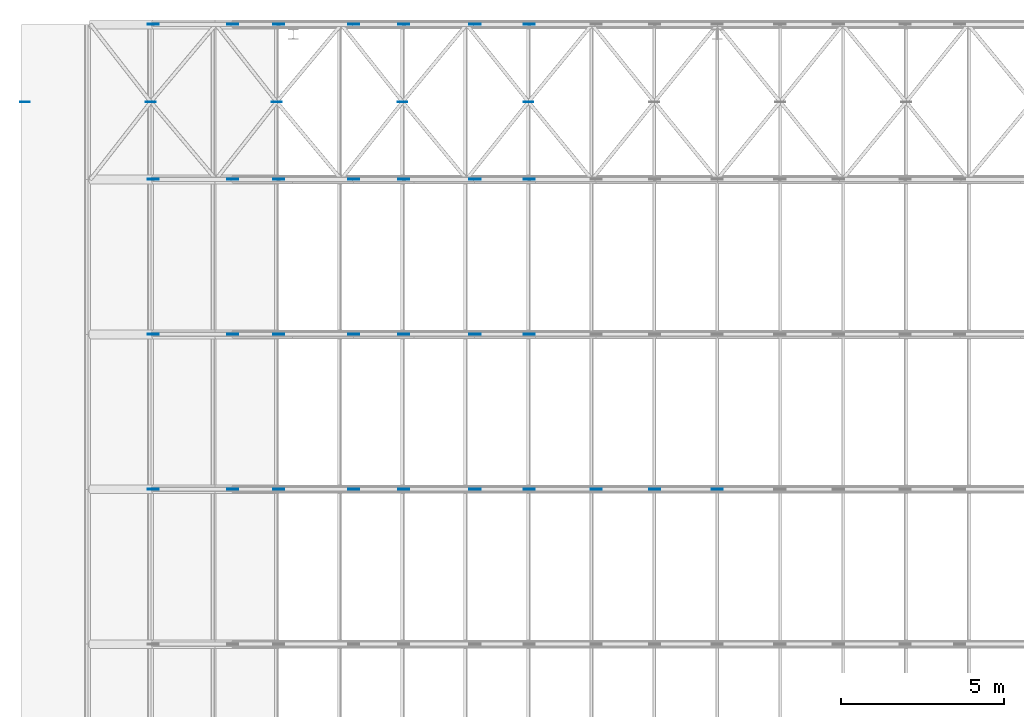
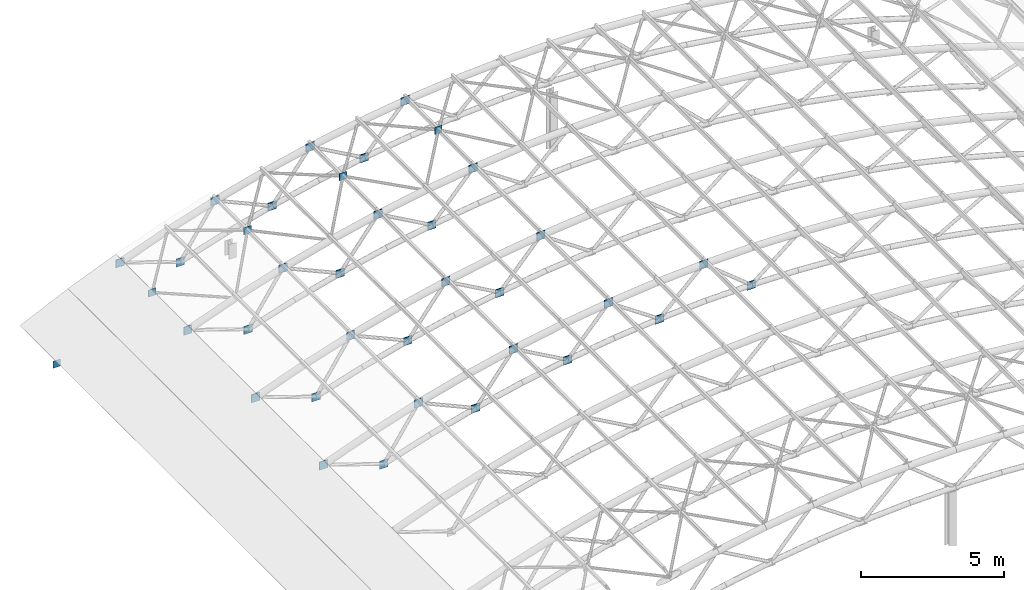
# One storey, part 13 of 22: 36 discrete accessories.
"""IFC4 building model written with IfcOpenShell, lengths in metres."""

from ifc_helpers import new_model, si_unit, direction, frame, origin, origin_2d, place, context, subcontext, project, spatial, rectangle, extrude, material, layer, layer_set, type_object, element, save


model = new_model("IFC4")

# Units and contexts
model_context = context("Model", 3, precision=1e-05, world=origin(), true_north=direction((0.0, 1.0)))
body_context = subcontext(model_context, "Body", "Model", "MODEL_VIEW")
ifc_project = project(units=[si_unit("LENGTHUNIT", "METRE"), si_unit("AREAUNIT", "SQUARE_METRE"), si_unit("VOLUMEUNIT", "CUBIC_METRE"), si_unit("PLANEANGLEUNIT", "RADIAN"), si_unit("MASSUNIT", "GRAM", prefix="KILO")], contexts=[model_context])

# Site, building, storey
site_placement = place(None, origin())
site = spatial("IfcSite", under=ifc_project, at=site_placement, CompositionType="ELEMENT")
building_placement = place(site_placement, origin())
building = spatial("IfcBuilding", under=site, at=building_placement, Name="Elbe Cascade School", CompositionType="ELEMENT")
storey_placement = place(building_placement, frame((0.0, 0.0, 18.89990234375)))
storey = spatial("IfcBuildingStorey", under=building, at=storey_placement, Name="R05", CompositionType="ELEMENT", Elevation=18.89990234375)

# Discrete accessories
ifc_material_1 = material(Name="Steel S355J2", Category="steel")
ifc_layer_1 = layer(ifc_material_1, 0.011962890625)
ifc_layer_set_1 = layer_set([ifc_layer_1], Name="Steel S355J2")
discrete_accessory_type_1 = type_object("IfcDiscreteAccessoryType", Name="Brace gusset plate 12 mm", PredefinedType="BRACKET", material=ifc_layer_set_1)
for number, where, z_axis, x_axis, name in (
    (1, (12.7734375, 67.125, -0.59326171875), (0.0, 0.0, 1.0), (1.0, 0.0, 0.0), "Brace gusset plate 12 mm AC2"),
    (2, (16.6328125, 67.125, 1.1005859375), (0.0, 0.0, 1.0), (1.0, 0.0, 0.0), "Brace gusset plate 12 mm AC2"),
    (3, (20.4921875, 67.125, 2.4111328125), (0.0, 0.0, 1.0), (1.0, 0.0, 0.0), "Brace gusset plate 12 mm AC2"),
    (4, (24.3515625, 67.125, 3.3701171875), (0.0, 0.0, 1.0), (1.0, 0.0, 0.0), "Brace gusset plate 12 mm AC2"),
    (5, (28.2109375, 67.125, 3.99853515625), (0.0, 0.0, 1.0), (1.0, 0.0, 0.0), "Brace gusset plate 12 mm AC2"),
):
    element("IfcDiscreteAccessory", number, at=place(storey_placement, frame(where, z_axis=z_axis, x_axis=x_axis)), inside=storey, type_object=discrete_accessory_type_1, Name=name, PredefinedType="BRACKET", context=body_context, shape_type="SweptSolid", body=[
        extrude(rectangle(XDim=0.300048828125, YDim=0.011962890625, at=origin_2d()), origin(), (0.0, 0.0, 1.0), 0.300048828125),
    ])
ifc_material_2 = material(Name="Steel S355J2", Category="steel")
ifc_layer_2 = layer(ifc_material_2, 0.030029296875)
ifc_layer_set_2 = layer_set([ifc_layer_2], Name="Steel S355J2")
discrete_accessory_type_2 = type_object("IfcDiscreteAccessoryType", Name="Truss node connection", PredefinedType="BRACKET", material=ifc_layer_set_2)
for number, where, z_axis, x_axis, name in (
    (6, (19.142822265625, 55.25, 0.07080078125), (0.0, 0.0, 1.0), (1.0, 0.0, 0.0), "Truss node connection AC1"),
    (7, (22.857177734375, 55.25, 1.15966796875), (0.0, 0.0, 1.0), (1.0, 0.0, 0.0), "Truss node connection AC1"),
    (8, (26.5712890625, 55.25, 1.921875), (0.0, 0.0, 1.0), (1.0, 0.0, 0.0), "Truss node connection AC1"),
    (9, (30.28564453125, 55.25, 2.37255859375), (0.0, 0.0, 1.0), (1.0, 0.0, 0.0), "Truss node connection AC1"),
    (10, (34.0, 55.25, 2.52197265625), (0.0, 0.0, 1.0), (1.0, 0.0, 0.0), "Truss node connection AC1"),
    (11, (16.70751953125, 55.25, 0.88818359375), (0.0, 0.0, 1.0), (1.0, 0.0, 0.0), "Truss node connection AC1"),
    (12, (20.55029296875, 55.25, 2.19287109375), (0.0, 0.0, 1.0), (1.0, 0.0, 0.0), "Truss node connection AC1"),
    (13, (24.39306640625, 55.25, 3.14794921875), (0.0, 0.0, 1.0), (1.0, 0.0, 0.0), "Truss node connection AC1"),
    (14, (28.23583984375, 55.25, 3.7734375), (0.0, 0.0, 1.0), (1.0, 0.0, 0.0), "Truss node connection AC1"),
    (15, (32.07861328125, 55.25, 4.08349609375), (0.0, 0.0, 1.0), (1.0, 0.0, 0.0), "Truss node connection AC1"),
    (16, (19.142822265625, 60.0, 0.07080078125), (0.0, 0.0, 1.0), (1.0, 0.0, 0.0), "Truss node connection AC1"),
    (17, (22.857177734375, 60.0, 1.15966796875), (0.0, 0.0, 1.0), (1.0, 0.0, 0.0), "Truss node connection AC1"),
    (18, (26.5712890625, 60.0, 1.921875), (0.0, 0.0, 1.0), (1.0, 0.0, 0.0), "Truss node connection AC1"),
    (19, (16.70751953125, 60.0, 0.88818359375), (0.0, 0.0, 1.0), (1.0, 0.0, 0.0), "Truss node connection AC1"),
    (20, (20.55029296875, 60.0, 2.19287109375), (0.0, 0.0, 1.0), (1.0, 0.0, 0.0), "Truss node connection AC1"),
    (21, (24.39306640625, 60.0, 3.14794921875), (0.0, 0.0, 1.0), (1.0, 0.0, 0.0), "Truss node connection AC1"),
    (22, (28.23583984375, 60.0, 3.7734375), (0.0, 0.0, 1.0), (1.0, 0.0, 0.0), "Truss node connection AC1"),
    (23, (19.142822265625, 64.75, 0.07080078125), (0.0, 0.0, 1.0), (1.0, 0.0, 0.0), "Truss node connection AC1"),
    (24, (22.857177734375, 64.75, 1.15966796875), (0.0, 0.0, 1.0), (1.0, 0.0, 0.0), "Truss node connection AC1"),
    (25, (26.5712890625, 64.75, 1.921875), (0.0, 0.0, 1.0), (1.0, 0.0, 0.0), "Truss node connection AC1"),
    (26, (16.70751953125, 64.75, 0.88818359375), (0.0, 0.0, 1.0), (1.0, 0.0, 0.0), "Truss node connection AC1"),
    (27, (20.55029296875, 64.75, 2.19287109375), (0.0, 0.0, 1.0), (1.0, 0.0, 0.0), "Truss node connection AC1"),
    (28, (24.39306640625, 64.75, 3.14794921875), (0.0, 0.0, 1.0), (1.0, 0.0, 0.0), "Truss node connection AC1"),
    (29, (28.23583984375, 64.75, 3.7734375), (0.0, 0.0, 1.0), (1.0, 0.0, 0.0), "Truss node connection AC1"),
    (30, (19.142822265625, 69.5, 0.07080078125), (0.0, 0.0, 1.0), (1.0, 0.0, 0.0), "Truss node connection AC1"),
    (31, (22.857177734375, 69.5, 1.15966796875), (0.0, 0.0, 1.0), (1.0, 0.0, 0.0), "Truss node connection AC1"),
    (32, (26.5712890625, 69.5, 1.921875), (0.0, 0.0, 1.0), (1.0, 0.0, 0.0), "Truss node connection AC1"),
    (33, (16.70751953125, 69.5, 0.88818359375), (0.0, 0.0, 1.0), (1.0, 0.0, 0.0), "Truss node connection AC1"),
    (34, (20.55029296875, 69.5, 2.19287109375), (0.0, 0.0, 1.0), (1.0, 0.0, 0.0), "Truss node connection AC1"),
    (35, (24.39306640625, 69.5, 3.14794921875), (0.0, 0.0, 1.0), (1.0, 0.0, 0.0), "Truss node connection AC1"),
    (36, (28.23583984375, 69.5, 3.7734375), (0.0, 0.0, 1.0), (1.0, 0.0, 0.0), "Truss node connection AC1"),
):
    element("IfcDiscreteAccessory", number, at=place(storey_placement, frame(where, z_axis=z_axis, x_axis=x_axis)), inside=storey, type_object=discrete_accessory_type_2, Name=name, PredefinedType="BRACKET", context=body_context, shape_type="SweptSolid", body=[
        extrude(rectangle(XDim=0.340087890625, YDim=0.030029296875, at=origin_2d()), origin(), (0.0, 0.0, 1.0), 0.340087890625),
    ])

save(model, "model.ifc")
